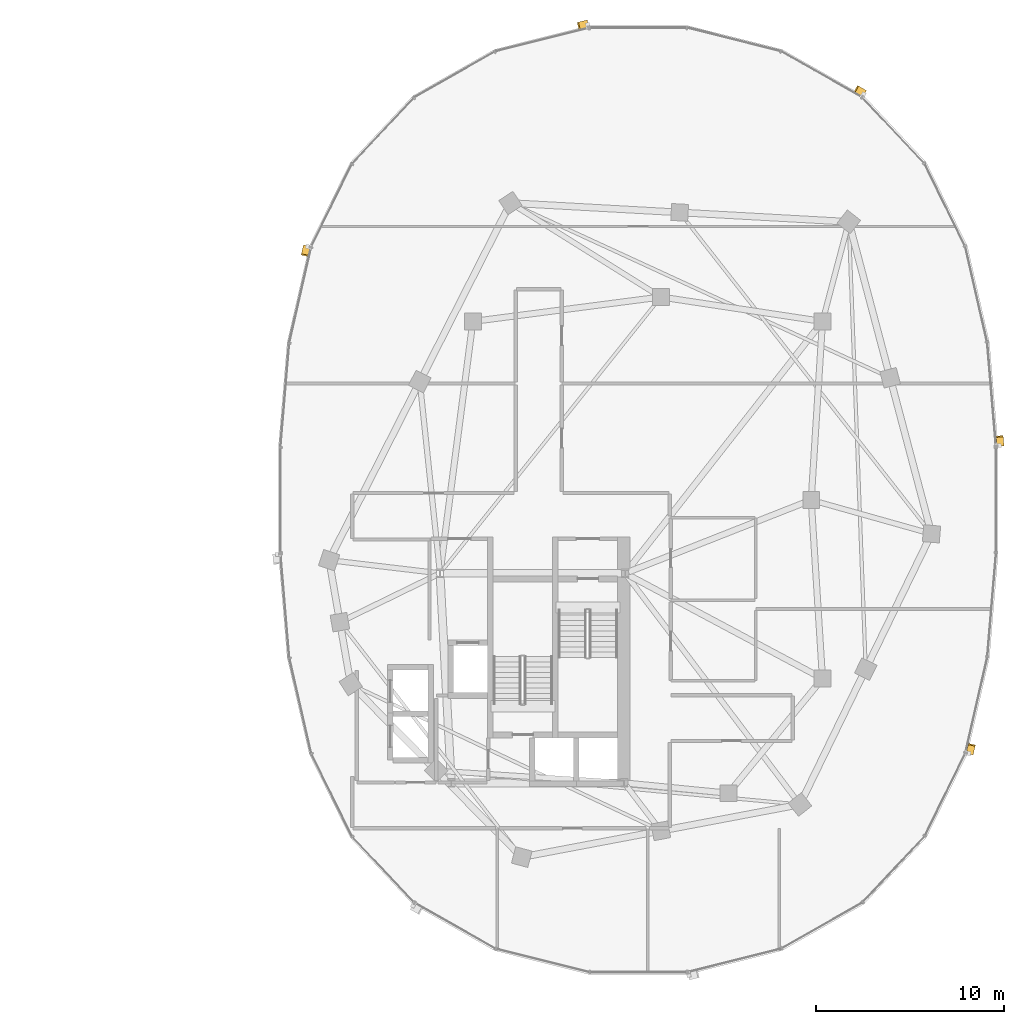
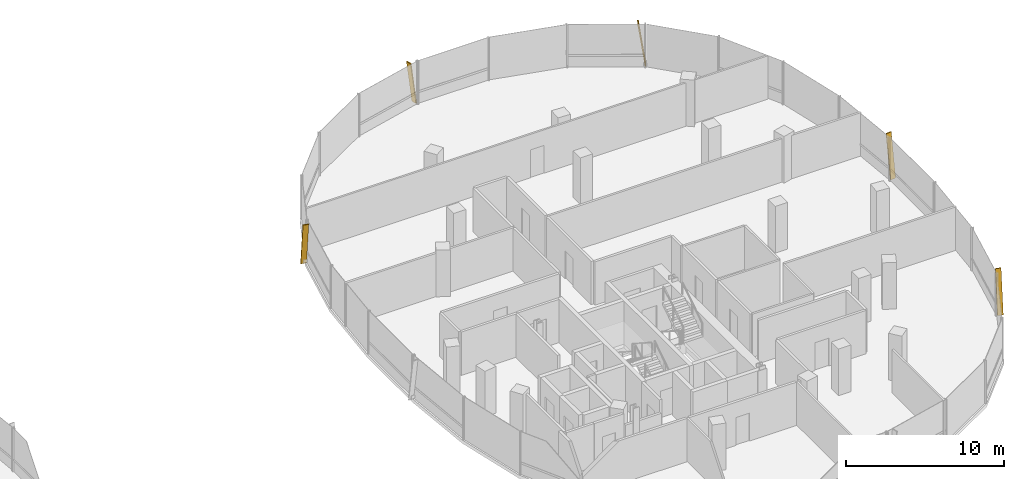
# One storey, part 25 of 25: 5 shading devices.
"""IFC4 building model written with IfcOpenShell, lengths in metres."""

from ifc_helpers import new_model, si_unit, direction, frame, origin, origin_2d, place, context, subcontext, project, spatial, rectangle, extrude, material, material_profile, profile_set, type_object, element, save


model = new_model("IFC4")

# Units and contexts
model_context = context("Model", 3, precision=1e-05, world=origin(), true_north=direction((0.0, 1.0)))
body_context = subcontext(model_context, "Body", "Model", "MODEL_VIEW")
ifc_project = project(units=[si_unit("LENGTHUNIT", "METRE"), si_unit("AREAUNIT", "SQUARE_METRE"), si_unit("VOLUMEUNIT", "CUBIC_METRE"), si_unit("PLANEANGLEUNIT", "RADIAN"), si_unit("MASSUNIT", "GRAM", prefix="KILO"), si_unit("THERMODYNAMICTEMPERATUREUNIT", "KELVIN"), si_unit("POWERUNIT", "WATT")], contexts=[model_context])

# Site, building, storey
site_placement = place(None, origin())
site = spatial("IfcSite", under=ifc_project, at=site_placement, CompositionType="ELEMENT")
building_placement = place(site_placement, origin())
building = spatial("IfcBuilding", under=site, at=building_placement, Name="Cundina Bronze Exchange", CompositionType="ELEMENT")
storey_placement = place(building_placement, frame((0.0, 0.0, 224.199951171875)))
storey = spatial("IfcBuildingStorey", under=building, at=storey_placement, Name="L59", CompositionType="ELEMENT", Elevation=224.199951171875)

# Shading devices
ifc_material = material(Name="Anodised Bronze Aluminium 6063-T6", Category="aluminium")
ifc_material_profile = material_profile(ifc_material, rectangle(XDim=0.070068359375, YDim=0.3798828125, at=origin_2d()), Name="FIN70X380", Category="aluminium")
ifc_profile_set = profile_set([ifc_material_profile], Name="Anodised Bronze Aluminium 6063-T6")
shading_device_type = type_object("IfcShadingDeviceType", Name="SHD-FIN-BRZ380", PredefinedType="USERDEFINED", material=ifc_profile_set)
for number, where, z_axis, x_axis, name in (
    (1, (51.264404296875, 2.90283203125, 0.02001953125), (-0.012006555776, 0.143419772964, 0.98958911238), (0.082555834947, -0.986139516224, 0.143921466983), "L59 Diagonal Bronze Solar Fin 1"),
    (2, (44.015625, 21.635498046875, 0.02001953125), (-0.125189514072, 0.071087145125, 0.989582843103), (0.860526986551, -0.488638423358, 0.143964567292), "L59 Diagonal Bronze Solar Fin 5"),
    (3, (29.294189453125, 25.344482421875, 0.02001953125), (-0.139611891367, -0.03514090606, 0.989582556693), (0.959650042543, 0.24154799183, 0.143966536007), "L59 Diagonal Bronze Solar Fin 1"),
    (4, (14.363037109375, 13.4931640625, 0.02001953125), (-0.032139238682, -0.140343782583, 0.989581068951), (0.220899412839, 0.964610875656, 0.14397676192), "L59 Diagonal Bronze Solar Fin 5"),
    (5, (49.636962890625, -13.4931640625, 0.02001953125), (0.032139238682, 0.140343782583, 0.989581068951), (-0.220899412839, -0.964610875656, 0.14397676192), "L59 Diagonal Bronze Solar Fin 5"),
):
    element("IfcShadingDevice", number, at=place(storey_placement, frame(where, z_axis=z_axis, x_axis=x_axis)), inside=storey, type_object=shading_device_type, Name=name, ObjectType="FIN", PredefinedType="USERDEFINED", context=body_context, shape_type="SweptSolid", body=[
        extrude(rectangle(XDim=0.070068359375, YDim=0.3798828125, at=origin_2d()), origin(), (0.0, 0.0, 1.0), 3.334716796875),
    ])

save(model, "model.ifc")
